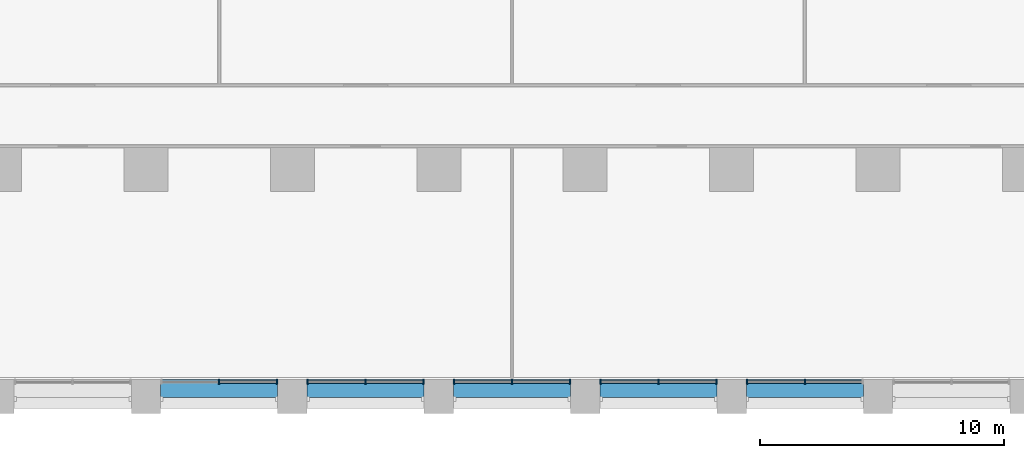
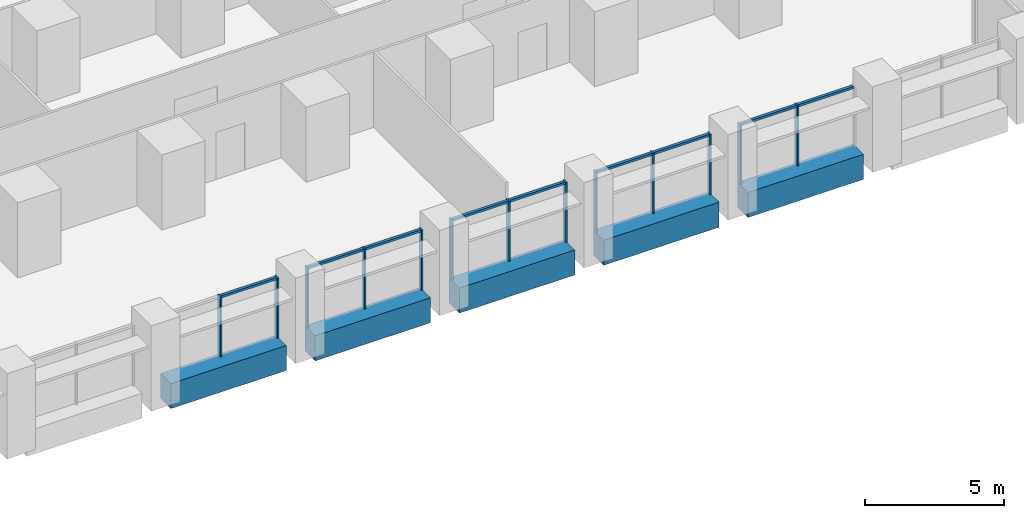
# One storey, part 3 of 18: 22 members, 5 beams, 5 elements without a shape of their own.
"""IFC4 building model written with IfcOpenShell, lengths in metres."""

from ifc_helpers import new_model, si_unit, direction, frame, origin, origin_2d, place, context, subcontext, project, spatial, rectangle, extrude, material, material_profile, profile_set, type_object, element, aggregate, save


model = new_model("IFC4")

# Units and contexts
model_context = context("Model", 3, precision=1e-05, world=origin(), true_north=direction((0.0, 1.0)))
body_context = subcontext(model_context, "Body", "Model", "MODEL_VIEW")
ifc_project = project(units=[si_unit("LENGTHUNIT", "METRE"), si_unit("AREAUNIT", "SQUARE_METRE"), si_unit("VOLUMEUNIT", "CUBIC_METRE"), si_unit("PLANEANGLEUNIT", "RADIAN"), si_unit("MASSUNIT", "GRAM", prefix="KILO")], contexts=[model_context])

# Site, building, storey
site_placement = place(None, origin())
site = spatial("IfcSite", under=ifc_project, at=site_placement, CompositionType="ELEMENT")
building_placement = place(site_placement, origin())
building = spatial("IfcBuilding", under=site, at=building_placement, Name="Calvaro Tower", CompositionType="ELEMENT")
storey_placement = place(building_placement, frame((0.0, 0.0, 30.0)))
storey = spatial("IfcBuildingStorey", under=building, at=storey_placement, Name="L06", CompositionType="ELEMENT", Elevation=30.0)

# Curtain wall, members
ifc_material_1 = material(Name="Anodised aluminium", Category="aluminium")
curtain_wall_type = type_object("IfcCurtainWallType", Name="Office curtain wall, lower zone", PredefinedType="NOTDEFINED", material=ifc_material_1)
curtain_wall_1_placement = place(storey_placement, origin())
curtain_wall_1 = element("IfcCurtainWall", 1, at=curtain_wall_1_placement, inside=storey, type_object=curtain_wall_type, Name="CW1 south curtain wall", PredefinedType="NOTDEFINED")
ifc_material_2 = material(Name="Anodised aluminium", Category="aluminium")
ifc_material_profile_1 = material_profile(ifc_material_2, rectangle(XDim=0.199951171875, YDim=0.06005859375, at=origin_2d()), Name="Mullion S1 60 x 200")
ifc_profile_set_1 = profile_set([ifc_material_profile_1], Name="Anodised aluminium")
member_type_1 = type_object("IfcMemberType", Name="Mullion S1 60 x 200", PredefinedType="MULLION", material=ifc_profile_set_1)
member_1_placement = place(storey_placement, frame((39.0, 1.300048828125, 0.0), z_axis=(0.0, 0.0, 1.0), x_axis=(0.0, 1.0, 0.0)))
member_1 = element("IfcMember", 2, at=member_1_placement, type_object=member_type_1, Name="CW1 mullion 2", PredefinedType="MULLION", context=body_context, shape_type="SweptSolid", body=[
    extrude(rectangle(XDim=0.199951171875, YDim=0.06005859375, at=origin_2d()), origin(), (0.0, 0.0, 1.0), 2.64990234375),
])
member_2_placement = place(storey_placement, frame((41.3701171875, 1.300048828125, 0.0), z_axis=(0.0, 0.0, 1.0), x_axis=(0.0, 1.0, 0.0)))
member_2 = element("IfcMember", 3, at=member_2_placement, type_object=member_type_1, Name="CW1 mullion 3", PredefinedType="MULLION", context=body_context, shape_type="SweptSolid", body=[
    extrude(rectangle(XDim=0.199951171875, YDim=0.06005859375, at=origin_2d()), origin(), (0.0, 0.0, 1.0), 2.64990234375),
])

curtain_wall_2_placement = place(storey_placement, origin())
curtain_wall_2 = element("IfcCurtainWall", 4, at=curtain_wall_2_placement, inside=storey, type_object=curtain_wall_type, Name="CW1 south curtain wall", PredefinedType="NOTDEFINED")
member_3_placement = place(storey_placement, frame((42.6298828125, 1.300048828125, 0.0), z_axis=(0.0, 0.0, 1.0), x_axis=(0.0, 1.0, 0.0)))
member_3 = element("IfcMember", 5, at=member_3_placement, type_object=member_type_1, Name="CW1 mullion 1", PredefinedType="MULLION", context=body_context, shape_type="SweptSolid", body=[
    extrude(rectangle(XDim=0.199951171875, YDim=0.06005859375, at=origin_2d()), origin(), (0.0, 0.0, 1.0), 2.64990234375),
])
member_4_placement = place(storey_placement, frame((45.0, 1.300048828125, 0.0), z_axis=(0.0, 0.0, 1.0), x_axis=(0.0, 1.0, 0.0)))
member_4 = element("IfcMember", 6, at=member_4_placement, type_object=member_type_1, Name="CW1 mullion 2", PredefinedType="MULLION", context=body_context, shape_type="SweptSolid", body=[
    extrude(rectangle(XDim=0.199951171875, YDim=0.06005859375, at=origin_2d()), origin(), (0.0, 0.0, 1.0), 2.64990234375),
])
member_5_placement = place(storey_placement, frame((47.3701171875, 1.300048828125, 0.0), z_axis=(0.0, 0.0, 1.0), x_axis=(0.0, 1.0, 0.0)))
member_5 = element("IfcMember", 7, at=member_5_placement, type_object=member_type_1, Name="CW1 mullion 3", PredefinedType="MULLION", context=body_context, shape_type="SweptSolid", body=[
    extrude(rectangle(XDim=0.199951171875, YDim=0.06005859375, at=origin_2d()), origin(), (0.0, 0.0, 1.0), 2.64990234375),
])

curtain_wall_3_placement = place(storey_placement, origin())
curtain_wall_3 = element("IfcCurtainWall", 8, at=curtain_wall_3_placement, inside=storey, type_object=curtain_wall_type, Name="CW1 south curtain wall", PredefinedType="NOTDEFINED")
member_6_placement = place(storey_placement, frame((48.6298828125, 1.300048828125, 0.0), z_axis=(0.0, 0.0, 1.0), x_axis=(0.0, 1.0, 0.0)))
member_6 = element("IfcMember", 9, at=member_6_placement, type_object=member_type_1, Name="CW1 mullion 1", PredefinedType="MULLION", context=body_context, shape_type="SweptSolid", body=[
    extrude(rectangle(XDim=0.199951171875, YDim=0.06005859375, at=origin_2d()), origin(), (0.0, 0.0, 1.0), 2.64990234375),
])
member_7_placement = place(storey_placement, frame((51.0, 1.300048828125, 0.0), z_axis=(0.0, 0.0, 1.0), x_axis=(0.0, 1.0, 0.0)))
member_7 = element("IfcMember", 10, at=member_7_placement, type_object=member_type_1, Name="CW1 mullion 2", PredefinedType="MULLION", context=body_context, shape_type="SweptSolid", body=[
    extrude(rectangle(XDim=0.199951171875, YDim=0.06005859375, at=origin_2d()), origin(), (0.0, 0.0, 1.0), 2.64990234375),
])
member_8_placement = place(storey_placement, frame((53.3701171875, 1.300048828125, 0.0), z_axis=(0.0, 0.0, 1.0), x_axis=(0.0, 1.0, 0.0)))
member_8 = element("IfcMember", 11, at=member_8_placement, type_object=member_type_1, Name="CW1 mullion 3", PredefinedType="MULLION", context=body_context, shape_type="SweptSolid", body=[
    extrude(rectangle(XDim=0.199951171875, YDim=0.06005859375, at=origin_2d()), origin(), (0.0, 0.0, 1.0), 2.64990234375),
])

curtain_wall_4_placement = place(storey_placement, origin())
curtain_wall_4 = element("IfcCurtainWall", 12, at=curtain_wall_4_placement, inside=storey, type_object=curtain_wall_type, Name="CW1 south curtain wall", PredefinedType="NOTDEFINED")
member_9_placement = place(storey_placement, frame((54.6298828125, 1.300048828125, 0.0), z_axis=(0.0, 0.0, 1.0), x_axis=(0.0, 1.0, 0.0)))
member_9 = element("IfcMember", 13, at=member_9_placement, type_object=member_type_1, Name="CW1 mullion 1", PredefinedType="MULLION", context=body_context, shape_type="SweptSolid", body=[
    extrude(rectangle(XDim=0.199951171875, YDim=0.06005859375, at=origin_2d()), origin(), (0.0, 0.0, 1.0), 2.64990234375),
])
member_10_placement = place(storey_placement, frame((57.0, 1.300048828125, 0.0), z_axis=(0.0, 0.0, 1.0), x_axis=(0.0, 1.0, 0.0)))
member_10 = element("IfcMember", 14, at=member_10_placement, type_object=member_type_1, Name="CW1 mullion 2", PredefinedType="MULLION", context=body_context, shape_type="SweptSolid", body=[
    extrude(rectangle(XDim=0.199951171875, YDim=0.06005859375, at=origin_2d()), origin(), (0.0, 0.0, 1.0), 2.64990234375),
])
member_11_placement = place(storey_placement, frame((59.3701171875, 1.300048828125, 0.0), z_axis=(0.0, 0.0, 1.0), x_axis=(0.0, 1.0, 0.0)))
member_11 = element("IfcMember", 15, at=member_11_placement, type_object=member_type_1, Name="CW1 mullion 3", PredefinedType="MULLION", context=body_context, shape_type="SweptSolid", body=[
    extrude(rectangle(XDim=0.199951171875, YDim=0.06005859375, at=origin_2d()), origin(), (0.0, 0.0, 1.0), 2.64990234375),
])

curtain_wall_5_placement = place(storey_placement, origin())
curtain_wall_5 = element("IfcCurtainWall", 16, at=curtain_wall_5_placement, inside=storey, type_object=curtain_wall_type, Name="CW1 south curtain wall", PredefinedType="NOTDEFINED")
member_12_placement = place(storey_placement, frame((60.6298828125, 1.300048828125, 0.0), z_axis=(0.0, 0.0, 1.0), x_axis=(0.0, 1.0, 0.0)))
member_12 = element("IfcMember", 17, at=member_12_placement, type_object=member_type_1, Name="CW1 mullion 1", PredefinedType="MULLION", context=body_context, shape_type="SweptSolid", body=[
    extrude(rectangle(XDim=0.199951171875, YDim=0.06005859375, at=origin_2d()), origin(), (0.0, 0.0, 1.0), 2.64990234375),
])
member_13_placement = place(storey_placement, frame((63.0, 1.300048828125, 0.0), z_axis=(0.0, 0.0, 1.0), x_axis=(0.0, 1.0, 0.0)))
member_13 = element("IfcMember", 18, at=member_13_placement, type_object=member_type_1, Name="CW1 mullion 2", PredefinedType="MULLION", context=body_context, shape_type="SweptSolid", body=[
    extrude(rectangle(XDim=0.199951171875, YDim=0.06005859375, at=origin_2d()), origin(), (0.0, 0.0, 1.0), 2.64990234375),
])

# Beams
ifc_material_3 = material(Name="Concrete C50/60 precast", Category="concrete")
ifc_material_profile_2 = material_profile(ifc_material_3, rectangle(XDim=0.75, YDim=1.10009765625, at=origin_2d()), Name="RC 750x1100")
ifc_profile_set_2 = profile_set([ifc_material_profile_2], Name="Concrete C50/60 precast")
beam_type = type_object("IfcBeamType", Name="Spandrel beam 750x1100 C50/60", PredefinedType="SPANDREL", material=ifc_profile_set_2)
for number, where, z_axis, x_axis, name in (
    (19, (36.60009765625, 1.02490234375, -0.550048828125), (1.0, 0.0, 0.0), (0.0, 1.0, 0.0), "Spandrel beam"),
    (20, (42.60009765625, 1.02490234375, -0.550048828125), (1.0, 0.0, 0.0), (0.0, 1.0, 0.0), "Spandrel beam"),
    (21, (48.60009765625, 1.02490234375, -0.550048828125), (1.0, 0.0, 0.0), (0.0, 1.0, 0.0), "Spandrel beam"),
    (22, (54.60009765625, 1.02490234375, -0.550048828125), (1.0, 0.0, 0.0), (0.0, 1.0, 0.0), "Spandrel beam"),
    (23, (60.60009765625, 1.02490234375, -0.550048828125), (1.0, 0.0, 0.0), (0.0, 1.0, 0.0), "Spandrel beam"),
):
    element("IfcBeam", number, at=place(storey_placement, frame(where, z_axis=z_axis, x_axis=x_axis)), inside=storey, type_object=beam_type, Name=name, PredefinedType="SPANDREL", context=body_context, shape_type="SweptSolid", body=[
        extrude(rectangle(XDim=0.75, YDim=1.10009765625, at=origin_2d()), origin(), (0.0, 0.0, 1.0), 4.7998046875),
    ])

# Member
ifc_material_4 = material(Name="Anodised aluminium", Category="aluminium")
ifc_material_profile_3 = material_profile(ifc_material_4, rectangle(XDim=0.1201171875, YDim=0.10009765625, at=origin_2d()), Name="Transom S1 100 x 120")
ifc_profile_set_3 = profile_set([ifc_material_profile_3], Name="Anodised aluminium")
member_type_2 = type_object("IfcMemberType", Name="Transom S1 100 x 120", PredefinedType="USERDEFINED", material=ifc_profile_set_3)
member_14_placement = place(storey_placement, frame((39.030029296875, 1.300048828125, 2.60009765625), z_axis=(1.0, 0.0, 0.0), x_axis=(0.0, 1.0, 0.0)))
member_14 = element("IfcMember", 24, at=member_14_placement, type_object=member_type_2, Name="CW1 transom 2.1", ObjectType="TRANSOM", PredefinedType="USERDEFINED", context=body_context, shape_type="SweptSolid", body=[
    extrude(rectangle(XDim=0.1201171875, YDim=0.10009765625, at=origin_2d()), origin(), (0.0, 0.0, 1.0), 2.31005859375),
])

aggregate(curtain_wall_1, [member_1, member_2, member_14])

member_15_placement = place(storey_placement, frame((42.659912109375, 1.300048828125, 2.60009765625), z_axis=(1.0, 0.0, 0.0), x_axis=(0.0, 1.0, 0.0)))
member_15 = element("IfcMember", 25, at=member_15_placement, type_object=member_type_2, Name="CW1 transom 1.1", ObjectType="TRANSOM", PredefinedType="USERDEFINED", context=body_context, shape_type="SweptSolid", body=[
    extrude(rectangle(XDim=0.1201171875, YDim=0.10009765625, at=origin_2d()), origin(), (0.0, 0.0, 1.0), 2.31005859375),
])

member_16_placement = place(storey_placement, frame((45.030029296875, 1.300048828125, 2.60009765625), z_axis=(1.0, 0.0, 0.0), x_axis=(0.0, 1.0, 0.0)))
member_16 = element("IfcMember", 26, at=member_16_placement, type_object=member_type_2, Name="CW1 transom 2.1", ObjectType="TRANSOM", PredefinedType="USERDEFINED", context=body_context, shape_type="SweptSolid", body=[
    extrude(rectangle(XDim=0.1201171875, YDim=0.10009765625, at=origin_2d()), origin(), (0.0, 0.0, 1.0), 2.31005859375),
])

aggregate(curtain_wall_2, [member_3, member_4, member_5, member_15, member_16])

member_17_placement = place(storey_placement, frame((48.659912109375, 1.300048828125, 2.60009765625), z_axis=(1.0, 0.0, 0.0), x_axis=(0.0, 1.0, 0.0)))
member_17 = element("IfcMember", 27, at=member_17_placement, type_object=member_type_2, Name="CW1 transom 1.1", ObjectType="TRANSOM", PredefinedType="USERDEFINED", context=body_context, shape_type="SweptSolid", body=[
    extrude(rectangle(XDim=0.1201171875, YDim=0.10009765625, at=origin_2d()), origin(), (0.0, 0.0, 1.0), 2.31005859375),
])

member_18_placement = place(storey_placement, frame((51.030029296875, 1.300048828125, 2.60009765625), z_axis=(1.0, 0.0, 0.0), x_axis=(0.0, 1.0, 0.0)))
member_18 = element("IfcMember", 28, at=member_18_placement, type_object=member_type_2, Name="CW1 transom 2.1", ObjectType="TRANSOM", PredefinedType="USERDEFINED", context=body_context, shape_type="SweptSolid", body=[
    extrude(rectangle(XDim=0.1201171875, YDim=0.10009765625, at=origin_2d()), origin(), (0.0, 0.0, 1.0), 2.31005859375),
])

aggregate(curtain_wall_3, [member_6, member_7, member_8, member_17, member_18])

member_19_placement = place(storey_placement, frame((54.659912109375, 1.300048828125, 2.60009765625), z_axis=(1.0, 0.0, 0.0), x_axis=(0.0, 1.0, 0.0)))
member_19 = element("IfcMember", 29, at=member_19_placement, type_object=member_type_2, Name="CW1 transom 1.1", ObjectType="TRANSOM", PredefinedType="USERDEFINED", context=body_context, shape_type="SweptSolid", body=[
    extrude(rectangle(XDim=0.1201171875, YDim=0.10009765625, at=origin_2d()), origin(), (0.0, 0.0, 1.0), 2.31005859375),
])

member_20_placement = place(storey_placement, frame((57.030029296875, 1.300048828125, 2.60009765625), z_axis=(1.0, 0.0, 0.0), x_axis=(0.0, 1.0, 0.0)))
member_20 = element("IfcMember", 30, at=member_20_placement, type_object=member_type_2, Name="CW1 transom 2.1", ObjectType="TRANSOM", PredefinedType="USERDEFINED", context=body_context, shape_type="SweptSolid", body=[
    extrude(rectangle(XDim=0.1201171875, YDim=0.10009765625, at=origin_2d()), origin(), (0.0, 0.0, 1.0), 2.31005859375),
])

aggregate(curtain_wall_4, [member_9, member_10, member_11, member_19, member_20])

member_21_placement = place(storey_placement, frame((60.659912109375, 1.300048828125, 2.60009765625), z_axis=(1.0, 0.0, 0.0), x_axis=(0.0, 1.0, 0.0)))
member_21 = element("IfcMember", 31, at=member_21_placement, type_object=member_type_2, Name="CW1 transom 1.1", ObjectType="TRANSOM", PredefinedType="USERDEFINED", context=body_context, shape_type="SweptSolid", body=[
    extrude(rectangle(XDim=0.1201171875, YDim=0.10009765625, at=origin_2d()), origin(), (0.0, 0.0, 1.0), 2.31005859375),
])

member_22_placement = place(storey_placement, frame((63.030029296875, 1.300048828125, 2.60009765625), z_axis=(1.0, 0.0, 0.0), x_axis=(0.0, 1.0, 0.0)))
member_22 = element("IfcMember", 32, at=member_22_placement, type_object=member_type_2, Name="CW1 transom 2.1", ObjectType="TRANSOM", PredefinedType="USERDEFINED", context=body_context, shape_type="SweptSolid", body=[
    extrude(rectangle(XDim=0.1201171875, YDim=0.10009765625, at=origin_2d()), origin(), (0.0, 0.0, 1.0), 2.31005859375),
])

aggregate(curtain_wall_5, [member_12, member_13, member_21, member_22])

save(model, "model.ifc")
